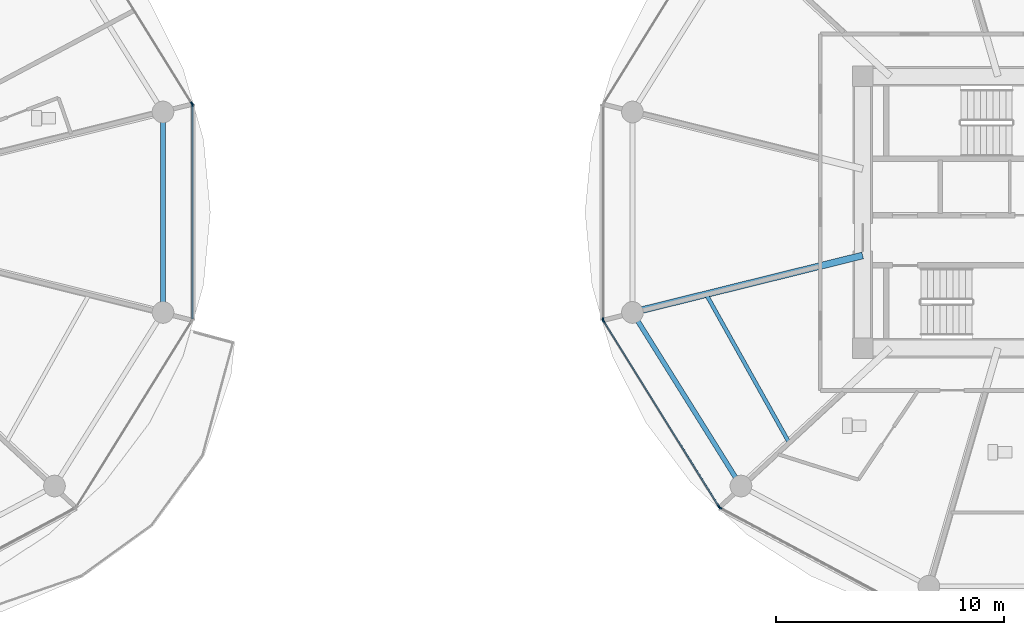
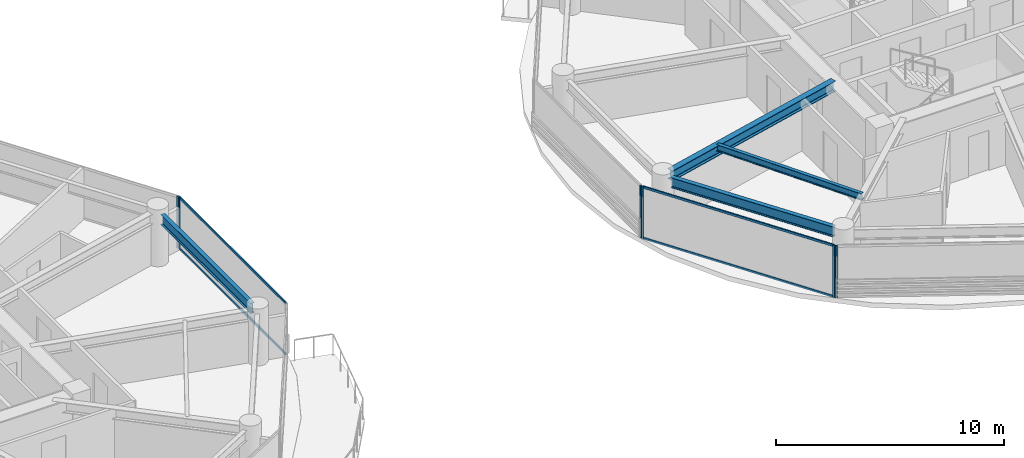
# One storey, part 6 of 27: 10 members, 4 beams, 5 elements without a shape of their own.
"""IFC4 building model written with IfcOpenShell, lengths in metres."""

from ifc_helpers import new_model, si_unit, direction, frame, origin, origin_2d, place, context, subcontext, project, spatial, rectangle, i_section, extrude, source, transform, mapped, material, layer, layer_set, material_profile, profile_set, type_object, type_shapes, element, aggregate, save


model = new_model("IFC4")

# Units and contexts
model_context = context("Model", 3, precision=1e-05, world=origin(), true_north=direction((0.0, 1.0)))
body_context = subcontext(model_context, "Body", "Model", "MODEL_VIEW")
ifc_project = project(units=[si_unit("LENGTHUNIT", "METRE"), si_unit("AREAUNIT", "SQUARE_METRE"), si_unit("VOLUMEUNIT", "CUBIC_METRE"), si_unit("PLANEANGLEUNIT", "RADIAN"), si_unit("MASSUNIT", "GRAM", prefix="KILO")], contexts=[model_context])

# Site, building, storey
site_placement = place(None, origin())
site = spatial("IfcSite", under=ifc_project, at=site_placement, CompositionType="ELEMENT")
building_placement = place(site_placement, origin())
building = spatial("IfcBuilding", under=site, at=building_placement, Name="Norrkilde Senior Care Towers", CompositionType="ELEMENT")
storey_placement = place(building_placement, frame((0.0, 0.0, 52.10009765625)))
storey = spatial("IfcBuildingStorey", under=building, at=storey_placement, Name="L15", CompositionType="ELEMENT", Elevation=52.10009765625)

# Beams
ifc_material_1 = material(Name="Steel S355", Category="steel")
ifc_material_profile_1 = material_profile(ifc_material_1, i_section(OverallWidth=0.2099609375, OverallDepth=0.550048828125, WebThickness=0.010986328125, FlangeThickness=0.01708984375, FilletRadius=0.02392578125, at=origin_2d()), Name="IPE 550")
ifc_profile_set_1 = profile_set([ifc_material_profile_1], Name="Steel S355")
beam_type_1 = type_object("IfcBeamType", Name="Perimeter Ring Spandrel Z1 IPE550", PredefinedType="SPANDREL", material=ifc_profile_set_1)
shared_shape_1 = source(origin(), body_context, "Body", "SweptSolid", [
    extrude(i_section(OverallWidth=0.2099609375, OverallDepth=0.550048828125, WebThickness=0.010986328125, FlangeThickness=0.01708984375, FilletRadius=0.02392578125, at=origin_2d()), origin(), (0.0, 0.0, 1.0), 8.090576171875),
])
beam_1_placement = place(storey_placement, frame((10.505859375, -4.755859375, 2.514892578125), z_axis=(0.530004364821, -0.84799491347, 0.0), x_axis=(0.84799491347, 0.530004364821, 0.0)))
element("IfcBeam", 1, at=beam_1_placement, inside=storey, type_object=beam_type_1, Name="L15 Drum E Perimeter Spandrel 07", PredefinedType="SPANDREL", context=body_context, shape_type="MappedRepresentation", body=[
    mapped(shared_shape_1, transform((0.0, 0.0, 0.0), x_axis=(1.0, 0.0, 0.0), y_axis=(0.0, 1.0, 0.0), z_axis=(0.0, 0.0, 1.0), scale=1.0)),
])
ifc_material_profile_2 = material_profile(ifc_material_1, i_section(OverallWidth=0.300048828125, OverallDepth=0.550048828125, WebThickness=0.014892578125, FlangeThickness=0.029052734375, FilletRadius=0.027099609375, at=origin_2d()), Name="HEB 550")
ifc_profile_set_2 = profile_set([ifc_material_profile_2], Name="Steel S355")
beam_type_2 = type_object("IfcBeamType", Name="Radial Floor Beam Z1 HEB550", PredefinedType="BEAM", material=ifc_profile_set_2)
shared_shape_2 = source(origin(), body_context, "Body", "SweptSolid", [
    extrude(i_section(OverallWidth=0.300048828125, OverallDepth=0.550048828125, WebThickness=0.014892578125, FlangeThickness=0.029052734375, FilletRadius=0.027099609375, at=origin_2d()), origin(), (0.0, 0.0, 1.0), 9.94384765625),
])
type_shapes(beam_type_2, [shared_shape_2])
beam_2_placement = place(storey_placement, frame((20.35009765625, -1.893310546875, 2.514892578125), z_axis=(-0.970707425182, -0.240264634718, 0.0), x_axis=(0.240264634718, -0.970707425182, 0.0)))
element("IfcBeam", 2, at=beam_2_placement, inside=storey, type_object=beam_type_2, Name="L15 Drum E Radial Floor Beam 07", PredefinedType="BEAM", context=body_context, shape_type="MappedRepresentation", body=[
    mapped(shared_shape_2, transform((0.0, 0.0, 0.0), x_axis=(1.0, 0.0, 0.0), y_axis=(0.0, 1.0, 0.0), z_axis=(0.0, 0.0, 1.0), scale=1.0)),
])
shared_shape_3 = source(origin(), body_context, "Body", "SweptSolid", [
    extrude(i_section(OverallWidth=0.2099609375, OverallDepth=0.550048828125, WebThickness=0.010986328125, FlangeThickness=0.01708984375, FilletRadius=0.02392578125, at=origin_2d()), origin(), (0.0, 0.0, 1.0), 7.90380859375),
])
type_shapes(beam_type_1, [shared_shape_1, shared_shape_3])
beam_3_placement = place(storey_placement, frame((-10.275146484375, -3.951904296875, 2.514892578125), z_axis=(0.0, 1.0, 0.0), x_axis=(-1.0, 0.0, 0.0)))
element("IfcBeam", 3, at=beam_3_placement, inside=storey, type_object=beam_type_1, Name="L15 Drum W Perimeter Spandrel 12", PredefinedType="SPANDREL", context=body_context, shape_type="MappedRepresentation", body=[
    mapped(shared_shape_3, transform((0.0, 0.0, 0.0), x_axis=(1.0, 0.0, 0.0), y_axis=(0.0, 1.0, 0.0), z_axis=(0.0, 0.0, 1.0), scale=1.0)),
])
ifc_material_profile_3 = material_profile(ifc_material_1, i_section(OverallWidth=0.169921875, OverallDepth=0.360107421875, WebThickness=0.008056640625, FlangeThickness=0.0126953125, FilletRadius=0.01806640625, at=origin_2d()), Name="IPE 360")
ifc_profile_set_3 = profile_set([ifc_material_profile_3], Name="Steel S355")
beam_type_3 = type_object("IfcBeamType", Name="Secondary Floor Joist IPE360", PredefinedType="JOIST", material=ifc_profile_set_3)
shared_shape_4 = source(origin(), body_context, "Body", "SweptSolid", [
    extrude(i_section(OverallWidth=0.169921875, OverallDepth=0.360107421875, WebThickness=0.008056640625, FlangeThickness=0.0126953125, FilletRadius=0.01806640625, at=origin_2d()), origin(), (0.0, 0.0, 1.0), 7.40771484375),
])
type_shapes(beam_type_3, [shared_shape_4])
beam_4_placement = place(storey_placement, frame((13.499267578125, -3.589111328125, 2.60986328125), z_axis=(0.488167754092, -0.872749817453, 0.0), x_axis=(0.872749817453, 0.488167754092, 0.0)))
element("IfcBeam", 4, at=beam_4_placement, inside=storey, type_object=beam_type_3, Name="L15 Drum E Secondary Floor Joist 3", PredefinedType="JOIST", context=body_context, shape_type="MappedRepresentation", body=[
    mapped(shared_shape_4, transform((0.0, 0.0, 0.0), x_axis=(1.0, 0.0, 0.0), y_axis=(0.0, 1.0, 0.0), z_axis=(0.0, 0.0, 1.0), scale=1.0)),
])

# Curtain wall, member
ifc_material_2 = material(Name="Triple Low-E Insulated Glazing", Category="glass")
ifc_layer = layer(ifc_material_2, 0.199951171875)
ifc_layer_set = layer_set([ifc_layer], Name="Triple Low-E Insulated Glazing")
curtain_wall_type = type_object("IfcCurtainWallType", Name="CW2 Zone 1 Memory Care Curtain Wall", PredefinedType="NOTDEFINED", material=ifc_layer_set)
curtain_wall_1_placement = place(storey_placement, origin())
curtain_wall_1 = element("IfcCurtainWall", 5, at=curtain_wall_1_placement, inside=storey, type_object=curtain_wall_type, Name="L15 Drum W Curtain Wall 00", PredefinedType="NOTDEFINED")
ifc_material_3 = material(Name="Anodised Aluminium", Category="aluminium")
ifc_material_profile_4 = material_profile(ifc_material_3, rectangle(XDim=0.06494140625, YDim=0.159912109375, at=origin_2d()), Name="ALU MULL 65x160")
ifc_profile_set_4 = profile_set([ifc_material_profile_4], Name="Anodised Aluminium")
member_type_1 = type_object("IfcMemberType", Name="Curtain Wall Mullion Z1-Z2 65x160", PredefinedType="MULLION", material=ifc_profile_set_4)
shared_shape_5 = source(origin(), body_context, "Body", "SweptSolid", [
    extrude(rectangle(XDim=0.06494140625, YDim=0.159912109375, at=origin_2d()), origin(), (0.0, 0.0, 1.0), 2.789794921875),
])
type_shapes(member_type_1, [shared_shape_5])
member_1_placement = place(storey_placement, frame((-9.0078125, 4.7587890625, 0.0), z_axis=(0.0, 0.0, 1.0), x_axis=(0.849305943117, 0.527900951871, 0.0)))
member_1 = element("IfcMember", 6, at=member_1_placement, type_object=member_type_1, Name="CW-2 mullion 2", PredefinedType="MULLION", context=body_context, shape_type="MappedRepresentation", body=[
    mapped(shared_shape_5, transform((0.0, 0.0, 0.0), x_axis=(1.0, 0.0, 0.0), y_axis=(0.0, 1.0, 0.0), z_axis=(0.0, 0.0, 1.0), scale=1.0)),
])
aggregate(curtain_wall_1, [member_1])

curtain_wall_2_placement = place(storey_placement, origin())
curtain_wall_2 = element("IfcCurtainWall", 7, at=curtain_wall_2_placement, inside=storey, type_object=curtain_wall_type, Name="L15 Drum W Curtain Wall 11", PredefinedType="NOTDEFINED")
member_2_placement = place(storey_placement, frame((-8.990478515625, 4.69873046875, 0.0), z_axis=(0.0, 0.0, 1.0), x_axis=(1.0, 0.0, 0.0)))
member_2 = element("IfcMember", 8, at=member_2_placement, type_object=member_type_1, Name="CW-2 mullion 1", PredefinedType="MULLION", context=body_context, shape_type="MappedRepresentation", body=[
    mapped(shared_shape_5, transform((0.0, 0.0, 0.0), x_axis=(1.0, 0.0, 0.0), y_axis=(0.0, 1.0, 0.0), z_axis=(0.0, 0.0, 1.0), scale=1.0)),
])

curtain_wall_3_placement = place(storey_placement, origin())
curtain_wall_3 = element("IfcCurtainWall", 9, at=curtain_wall_3_placement, inside=storey, type_object=curtain_wall_type, Name="L15 Drum E Curtain Wall 05", PredefinedType="NOTDEFINED")
member_3_placement = place(storey_placement, frame((8.990478515625, -4.69873046875, 0.0), z_axis=(0.0, 0.0, 1.0), x_axis=(-1.0, 0.0, 0.0)))
member_3 = element("IfcMember", 10, at=member_3_placement, type_object=member_type_1, Name="CW-2 mullion 1", PredefinedType="MULLION", context=body_context, shape_type="MappedRepresentation", body=[
    mapped(shared_shape_5, transform((0.0, 0.0, 0.0), x_axis=(1.0, 0.0, 0.0), y_axis=(0.0, 1.0, 0.0), z_axis=(0.0, 0.0, 1.0), scale=1.0)),
])
aggregate(curtain_wall_3, [member_3])

# Curtain wall, members
curtain_wall_4_placement = place(storey_placement, origin())
curtain_wall_4 = element("IfcCurtainWall", 11, at=curtain_wall_4_placement, inside=storey, type_object=curtain_wall_type, Name="L15 Drum E Curtain Wall 06", PredefinedType="NOTDEFINED")
member_4_placement = place(storey_placement, frame((14.06689453125, -12.898193359375, 0.0), z_axis=(0.0, 0.0, 1.0), x_axis=(-0.849305943117, -0.527900951871, 0.0)))
member_4 = element("IfcMember", 12, at=member_4_placement, type_object=member_type_1, Name="CW-2 mullion 1", PredefinedType="MULLION", context=body_context, shape_type="MappedRepresentation", body=[
    mapped(shared_shape_5, transform((0.0, 0.0, 0.0), x_axis=(1.0, 0.0, 0.0), y_axis=(0.0, 1.0, 0.0), z_axis=(0.0, 0.0, 1.0), scale=1.0)),
])
member_5_placement = place(storey_placement, frame((9.0078125, -4.7587890625, 0.0), z_axis=(0.0, 0.0, 1.0), x_axis=(-0.849305943117, -0.527900951871, 0.0)))
member_5 = element("IfcMember", 13, at=member_5_placement, type_object=member_type_1, Name="CW-2 mullion 2", PredefinedType="MULLION", context=body_context, shape_type="MappedRepresentation", body=[
    mapped(shared_shape_5, transform((0.0, 0.0, 0.0), x_axis=(1.0, 0.0, 0.0), y_axis=(0.0, 1.0, 0.0), z_axis=(0.0, 0.0, 1.0), scale=1.0)),
])

# Curtain wall, member
curtain_wall_5_placement = place(storey_placement, origin())
curtain_wall_5 = element("IfcCurtainWall", 14, at=curtain_wall_5_placement, inside=storey, type_object=curtain_wall_type, Name="L15 Drum E Curtain Wall 07", PredefinedType="NOTDEFINED")
member_6_placement = place(storey_placement, frame((14.11279296875, -12.941162109375, 0.0), z_axis=(0.0, 0.0, 1.0), x_axis=(-0.472607802456, -0.881272866403, 0.0)))
member_6 = element("IfcMember", 15, at=member_6_placement, type_object=member_type_1, Name="CW-2 mullion 2", PredefinedType="MULLION", context=body_context, shape_type="MappedRepresentation", body=[
    mapped(shared_shape_5, transform((0.0, 0.0, 0.0), x_axis=(1.0, 0.0, 0.0), y_axis=(0.0, 1.0, 0.0), z_axis=(0.0, 0.0, 1.0), scale=1.0)),
])
aggregate(curtain_wall_5, [member_6])

# Member
ifc_material_profile_5 = material_profile(ifc_material_3, rectangle(XDim=0.06005859375, YDim=0.1201171875, at=origin_2d()), Name="ALU TRAN 60x120")
ifc_profile_set_5 = profile_set([ifc_material_profile_5], Name="Anodised Aluminium")
member_type_2 = type_object("IfcMemberType", Name="Curtain Wall Transom Typical 60x120", PredefinedType="USERDEFINED", material=ifc_profile_set_5)
shared_shape_6 = source(origin(), body_context, "Body", "SweptSolid", [
    extrude(rectangle(XDim=0.06005859375, YDim=0.1201171875, at=origin_2d()), origin(), (0.0, 0.0, 1.0), 9.5185546875),
])
member_7_placement = place(storey_placement, frame((14.0498046875, -12.87060546875, 0.02978515625), z_axis=(-0.527901620669, 0.849305527413, 0.0), x_axis=(-0.849305527413, -0.527901620669, 0.0)))
member_7 = element("IfcMember", 16, at=member_7_placement, type_object=member_type_2, Name="CW-2 transom 1.1", ObjectType="TRANSOM", PredefinedType="USERDEFINED", context=body_context, shape_type="MappedRepresentation", body=[
    mapped(shared_shape_6, transform((0.0, 0.0, 0.0), x_axis=(1.0, 0.0, 0.0), y_axis=(0.0, 1.0, 0.0), z_axis=(0.0, 0.0, 1.0), scale=1.0)),
])

member_8_placement = place(storey_placement, frame((14.0498046875, -12.87060546875, 2.760009765625), z_axis=(-0.527901620669, 0.849305527413, 0.0), x_axis=(-0.849305527413, -0.527901620669, 0.0)))
member_8 = element("IfcMember", 17, at=member_8_placement, type_object=member_type_2, Name="CW-2 transom 1.2", ObjectType="TRANSOM", PredefinedType="USERDEFINED", context=body_context, shape_type="MappedRepresentation", body=[
    mapped(shared_shape_6, transform((0.0, 0.0, 0.0), x_axis=(1.0, 0.0, 0.0), y_axis=(0.0, 1.0, 0.0), z_axis=(0.0, 0.0, 1.0), scale=1.0)),
])

aggregate(curtain_wall_4, [member_4, member_5, member_7, member_8])

shared_shape_7 = source(origin(), body_context, "Body", "SweptSolid", [
    extrude(rectangle(XDim=0.06005859375, YDim=0.1201171875, at=origin_2d()), origin(), (0.0, 0.0, 1.0), 9.33251953125),
])
type_shapes(member_type_2, [shared_shape_6, shared_shape_7])
member_9_placement = place(storey_placement, frame((-8.990478515625, 4.666259765625, 0.02978515625), z_axis=(0.0, -1.0, 0.0), x_axis=(1.0, 0.0, 0.0)))
member_9 = element("IfcMember", 18, at=member_9_placement, type_object=member_type_2, Name="CW-2 transom 1.1", ObjectType="TRANSOM", PredefinedType="USERDEFINED", context=body_context, shape_type="MappedRepresentation", body=[
    mapped(shared_shape_7, transform((0.0, 0.0, 0.0), x_axis=(1.0, 0.0, 0.0), y_axis=(0.0, 1.0, 0.0), z_axis=(0.0, 0.0, 1.0), scale=1.0)),
])

member_10_placement = place(storey_placement, frame((-8.990478515625, 4.666259765625, 2.760009765625), z_axis=(0.0, -1.0, 0.0), x_axis=(1.0, 0.0, 0.0)))
member_10 = element("IfcMember", 19, at=member_10_placement, type_object=member_type_2, Name="CW-2 transom 1.2", ObjectType="TRANSOM", PredefinedType="USERDEFINED", context=body_context, shape_type="MappedRepresentation", body=[
    mapped(shared_shape_7, transform((0.0, 0.0, 0.0), x_axis=(1.0, 0.0, 0.0), y_axis=(0.0, 1.0, 0.0), z_axis=(0.0, 0.0, 1.0), scale=1.0)),
])

aggregate(curtain_wall_2, [member_2, member_9, member_10])

save(model, "model.ifc")
